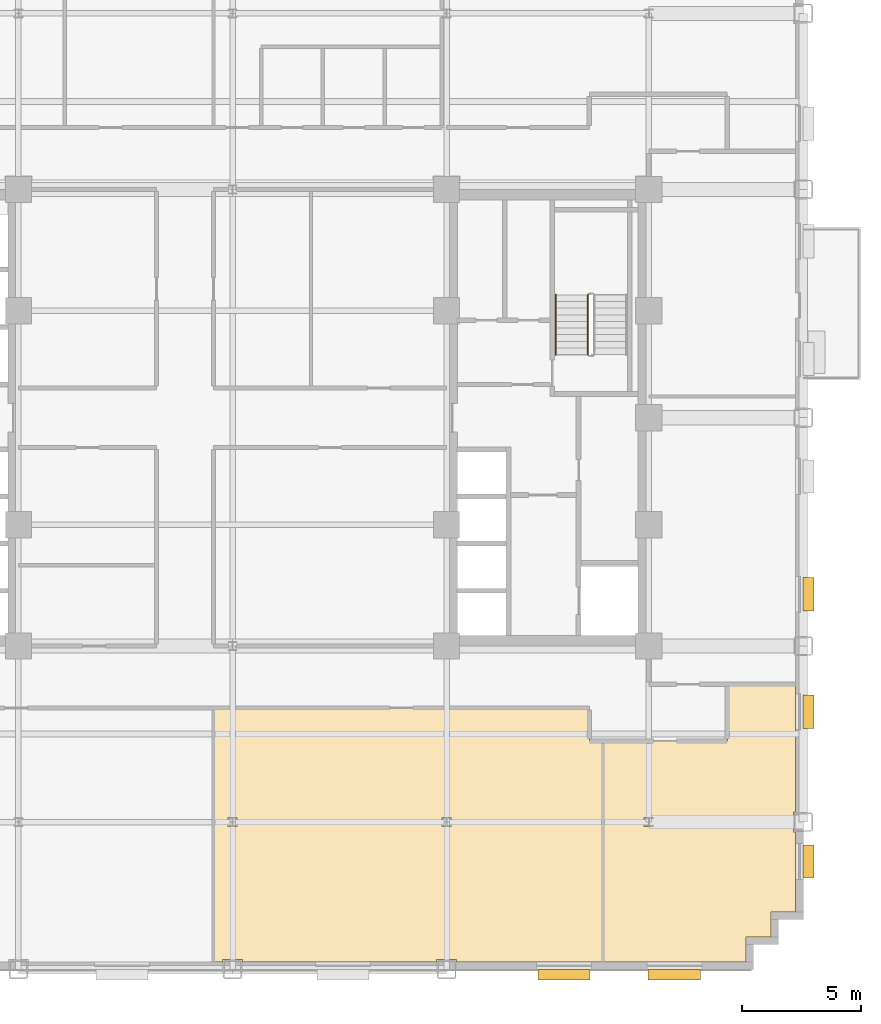
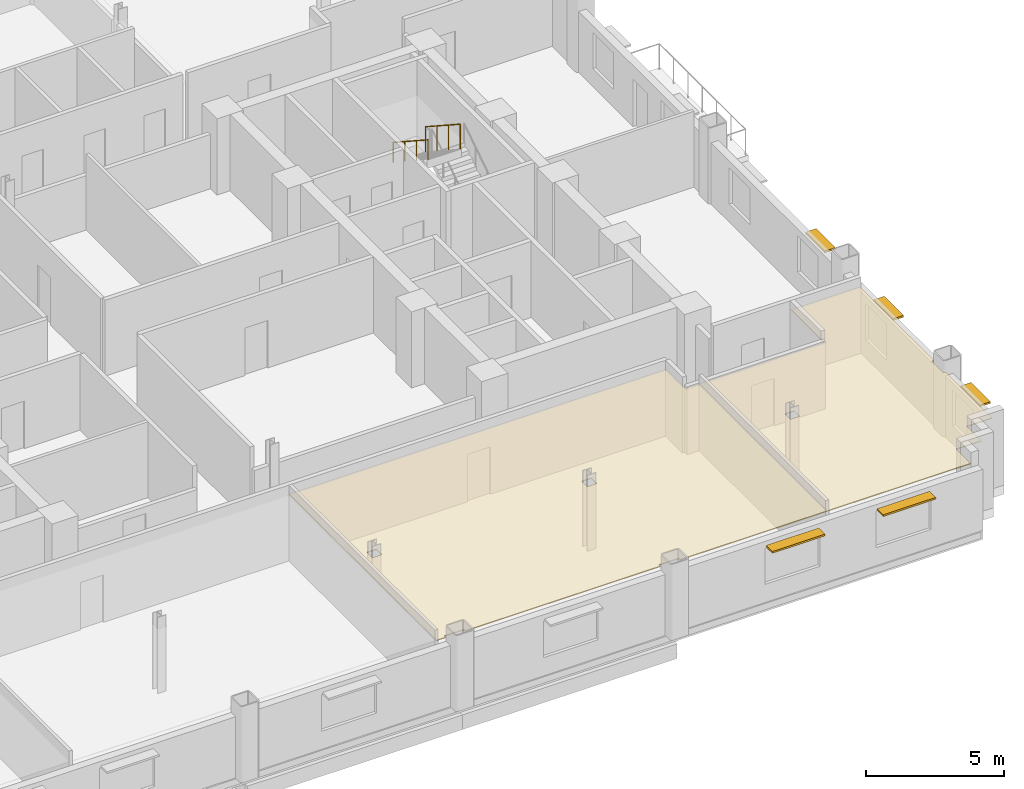
# One storey, part 13 of 15: 5 shading devices, 2 coverings, 2 railings.
"""IFC4 building model written with IfcOpenShell, lengths in metres."""

from ifc_helpers import new_model, si_unit, direction, frame, origin, origin_2d, place, context, subcontext, project, spatial, polyline, rectangle, circle, outline, extrude, source, transform, mapped, material, layer, layer_set, type_object, type_shapes, element, save


model = new_model("IFC4")

# Units and contexts
model_context = context("Model", 3, precision=1e-05, world=origin(), true_north=direction((0.0, 1.0)))
body_context = subcontext(model_context, "Body", "Model", "MODEL_VIEW")
ifc_project = project(units=[si_unit("LENGTHUNIT", "METRE"), si_unit("AREAUNIT", "SQUARE_METRE"), si_unit("VOLUMEUNIT", "CUBIC_METRE"), si_unit("PLANEANGLEUNIT", "RADIAN"), si_unit("MASSUNIT", "GRAM", prefix="KILO")], contexts=[model_context])

# Site, building, storey
site_placement = place(None, origin())
site = spatial("IfcSite", under=ifc_project, at=site_placement, CompositionType="ELEMENT")
building_placement = place(site_placement, origin())
building = spatial("IfcBuilding", under=site, at=building_placement, Name="Nuvemarco Arch Tower", CompositionType="ELEMENT")
storey_placement = place(building_placement, frame((0.0, 0.0, 86.0)))
storey = spatial("IfcBuildingStorey", under=building, at=storey_placement, Name="L22", CompositionType="ELEMENT", Elevation=86.0)

# Coverings
ifc_material_1 = material(Name="Mineral acoustic ceiling tile")
ifc_layer = layer(ifc_material_1, 0.0400390625, Name="COV-ACOUSTIC-CLG")
ifc_layer_set = layer_set([ifc_layer], Name="Mineral acoustic ceiling tile")
covering_type = type_object("IfcCoveringType", Name="COV-ACOUSTIC-CLG", PredefinedType="CEILING", material=ifc_layer_set)
covering_1_placement = place(storey_placement, frame((0.0, 0.0, 2.85009765625)))
element("IfcCovering", 1, at=covering_1_placement, inside=storey, type_object=covering_type, Name="L22 suspended acoustic ceiling 1", PredefinedType="CEILING", context=body_context, shape_type="SweptSolid", body=[
    extrude(outline(polyline([(15.570068359375, -13.60009765625), (15.570068359375, -22.8798828125), (9.4150390625, -22.8798828125), (9.4150390625, -22.784912109375), (8.5849609375, -22.784912109375), (8.5849609375, -22.8798828125), (0.4150390625, -22.8798828125), (0.4150390625, -22.784912109375), (-0.4150390625, -22.784912109375), (-0.4150390625, -22.8798828125), (-0.800048828125, -22.8798828125), (-0.800048828125, -12.199951171875), (15.0, -12.199951171875), (15.0, -13.60009765625), (15.570068359375, -13.60009765625)]), holes=[polyline([(0.195068359375, -17.195068359375), (0.195068359375, -16.804931640625), (-0.195068359375, -16.804931640625), (-0.195068359375, -17.195068359375), (0.195068359375, -17.195068359375)]), polyline([(9.195068359375, -17.195068359375), (9.195068359375, -16.804931640625), (8.804931640625, -16.804931640625), (8.804931640625, -17.195068359375), (9.195068359375, -17.195068359375)])]), origin(), (0.0, 0.0, 1.0), 0.039794921875),
])
covering_2_placement = place(storey_placement, frame((0.0, 0.0, 2.85009765625)))
element("IfcCovering", 2, at=covering_2_placement, inside=storey, type_object=covering_type, Name="L22 suspended acoustic ceiling 4", PredefinedType="CEILING", context=body_context, shape_type="SweptSolid", body=[
    extrude(outline(polyline([(21.580078125, -22.8798828125), (15.570068359375, -22.8798828125), (15.570068359375, -13.60009765625), (20.800048828125, -13.60009765625), (20.800048828125, -11.199951171875), (23.679931640625, -11.199951171875), (23.679931640625, -16.5849609375), (23.5849609375, -16.5849609375), (23.5849609375, -17.4150390625), (23.679931640625, -17.4150390625), (23.679931640625, -20.780029296875), (22.6298828125, -20.780029296875), (22.6298828125, -21.830078125), (21.580078125, -21.830078125), (21.580078125, -22.8798828125)]), holes=[polyline([(17.695068359375, -17.195068359375), (17.695068359375, -16.804931640625), (17.304931640625, -16.804931640625), (17.304931640625, -17.195068359375), (17.695068359375, -17.195068359375)])]), origin(), (0.0, 0.0, 1.0), 0.039794921875),
])

# Railings
ifc_material_2 = material(Name="Brushed stainless steel handrail", Category="steel")
railing_type_1 = type_object("IfcRailingType", Name="RL-HANDRAIL-900", PredefinedType="HANDRAIL", material=ifc_material_2)
railing_1_placement = place(storey_placement, frame((13.590087890625, 5.169921875, 2.007568359375)))
element("IfcRailing", 3, at=railing_1_placement, inside=storey, type_object=railing_type_1, Name="L22 ST-2 stair handrail 2", PredefinedType="HANDRAIL", context=body_context, shape_type="SweptSolid", body=[
    extrude(circle(Radius=0.02392578125, at=origin_2d()), frame((0.0, 0.0, 0.8759765625), z_axis=(0.0, -0.837786554691, 0.545997883492), x_axis=(1.0, 0.0, 0.0)), (0.0, 0.0, 1.0), 3.008056640625),
    extrude(circle(Radius=0.02099609375, at=origin_2d()), origin(), (0.0, 0.0, 1.0), 0.851806640625),
    extrude(circle(Radius=0.02099609375, at=origin_2d()), frame((0.0, -0.840087890625, 0.54736328125)), (0.0, 0.0, 1.0), 0.851806640625),
    extrude(circle(Radius=0.02099609375, at=origin_2d()), frame((0.0, -1.679931640625, 1.094970703125)), (0.0, 0.0, 1.0), 0.851806640625),
    extrude(circle(Radius=0.02099609375, at=origin_2d()), frame((0.0, -2.52001953125, 1.642333984375)), (0.0, 0.0, 1.0), 0.851806640625),
])
ifc_material_3 = material(Name="Painted balustrade steel S355", Category="steel")
railing_type_2 = type_object("IfcRailingType", Name="RL-STAIR-GUARD", PredefinedType="GUARDRAIL", material=ifc_material_3)
railing_2_placement = place(storey_placement, frame((14.93994140625, 5.169921875, 2.007568359375)))
element("IfcRailing", 4, at=railing_2_placement, inside=storey, type_object=railing_type_2, Name="L22 ST-2 stair guard 3", PredefinedType="GUARDRAIL", context=body_context, shape_type="SweptSolid", body=[
    extrude(circle(Radius=0.02392578125, at=origin_2d()), frame((0.0, 0.0, 1.09619140625), z_axis=(0.0, -0.837786554691, 0.545997883492), x_axis=(1.0, 0.0, 0.0)), (0.0, 0.0, 1.0), 3.008056640625),
    extrude(circle(Radius=0.02099609375, at=origin_2d()), origin(), (0.0, 0.0, 1.0), 1.072021484375),
    extrude(circle(Radius=0.02099609375, at=origin_2d()), frame((0.0, -0.840087890625, 0.54736328125)), (0.0, 0.0, 1.0), 1.072021484375),
    extrude(circle(Radius=0.02099609375, at=origin_2d()), frame((0.0, -1.679931640625, 1.094970703125)), (0.0, 0.0, 1.0), 1.072021484375),
    extrude(circle(Radius=0.02099609375, at=origin_2d()), frame((0.0, -2.52001953125, 1.642333984375)), (0.0, 0.0, 1.0), 1.072021484375),
])

# Shading devices
ifc_material_4 = material(Name="Anodised aluminium 6063-T6", Category="aluminium")
shading_device_type_1 = type_object("IfcShadingDeviceType", Name="SHD-BRISE-SOLEIL", PredefinedType="USERDEFINED", material=ifc_material_4)
shared_shape_1 = source(origin(), body_context, "Body", "SweptSolid", [
    extrude(rectangle(XDim=2.199951171875, YDim=0.449951171875, at=origin_2d()), origin(), (0.0, 0.0, 1.0), 0.080078125),
])
type_shapes(shading_device_type_1, [shared_shape_1])
for number, where, z_axis, x_axis, name in (
    (5, (13.933349609375, -23.4150390625, 2.425048828125), (0.0, 0.0, 1.0), (1.0, 0.0, 0.0), "L22 horizontal brise-soleil sunshade"),
    (6, (18.577880859375, -23.4150390625, 2.425048828125), (0.0, 0.0, 1.0), (1.0, 0.0, 0.0), "L22 horizontal brise-soleil sunshade"),
):
    element("IfcShadingDevice", number, at=place(storey_placement, frame(where, z_axis=z_axis, x_axis=x_axis)), inside=storey, type_object=shading_device_type_1, Name=name, ObjectType="SUNSHADE", PredefinedType="USERDEFINED", context=body_context, shape_type="MappedRepresentation", body=[
        mapped(shared_shape_1, transform((0.0, 0.0, 0.0), scale=1.0)),
    ])
shading_device_type_2 = type_object("IfcShadingDeviceType", Name="SHD-BRISE-NARROW", PredefinedType="USERDEFINED", material=ifc_material_4)
shared_shape_2 = source(origin(), body_context, "Body", "SweptSolid", [
    extrude(rectangle(XDim=1.39990234375, YDim=0.449951171875, at=origin_2d()), origin(), (0.0, 0.0, 1.0), 0.080078125),
])
type_shapes(shading_device_type_2, [shared_shape_2])
for number, where, z_axis, x_axis, name in (
    (7, (24.215087890625, -18.660888671875, 2.405029296875), (0.0, 0.0, 1.0), (0.0, 1.0, 0.0), "L22 horizontal brise-soleil sunshade"),
    (8, (24.215087890625, -12.364990234375, 2.405029296875), (0.0, 0.0, 1.0), (0.0, 1.0, 0.0), "L22 horizontal brise-soleil sunshade"),
    (9, (24.215087890625, -7.4189453125, 2.405029296875), (0.0, 0.0, 1.0), (0.0, 1.0, 0.0), "L22 horizontal brise-soleil sunshade"),
):
    element("IfcShadingDevice", number, at=place(storey_placement, frame(where, z_axis=z_axis, x_axis=x_axis)), inside=storey, type_object=shading_device_type_2, Name=name, ObjectType="SUNSHADE", PredefinedType="USERDEFINED", context=body_context, shape_type="MappedRepresentation", body=[
        mapped(shared_shape_2, transform((0.0, 0.0, 0.0), scale=1.0)),
    ])

save(model, "model.ifc")
